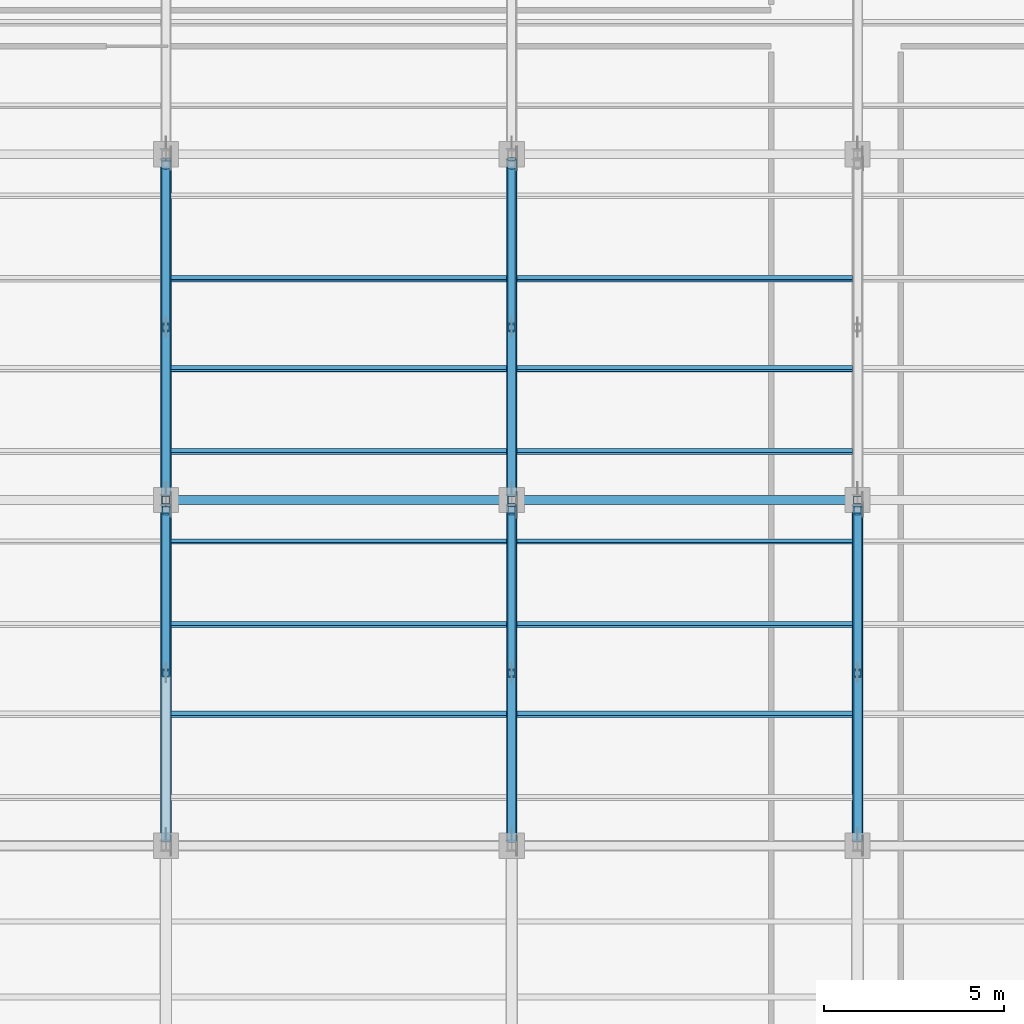
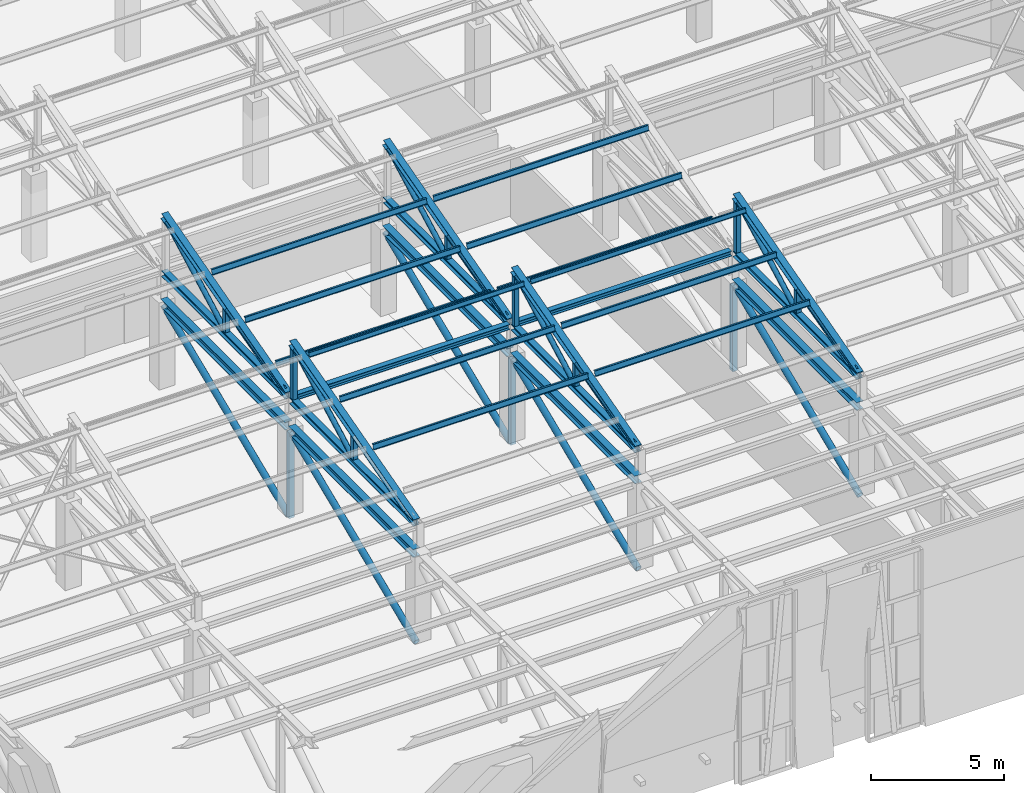
# One storey, part 17 of 71: 52 members, 2 beams.
"""IFC4 building model written with IfcOpenShell, lengths in metres."""

from ifc_helpers import new_model, si_unit, direction, frame, origin, origin_2d, place, context, subcontext, project, spatial, hollow_rectangle, hollow_circle, i_section, extrude, material, material_profile, profile_set, type_object, element, save


model = new_model("IFC4")

# Units and contexts
model_context = context("Model", 3, precision=1e-05, world=origin(), true_north=direction((0.0, 1.0)))
body_context = subcontext(model_context, "Body", "Model", "MODEL_VIEW")
ifc_project = project(units=[si_unit("LENGTHUNIT", "METRE"), si_unit("AREAUNIT", "SQUARE_METRE"), si_unit("VOLUMEUNIT", "CUBIC_METRE"), si_unit("PLANEANGLEUNIT", "RADIAN"), si_unit("MASSUNIT", "GRAM", prefix="KILO")], contexts=[model_context])

# Site, building, storey
site_placement = place(None, origin())
site = spatial("IfcSite", under=ifc_project, at=site_placement, CompositionType="ELEMENT")
building_placement = place(site_placement, origin())
building = spatial("IfcBuilding", under=site, at=building_placement, Name="Bempovik Park Faculty of Sciences", CompositionType="ELEMENT")
storey_placement = place(building_placement, frame((0.0, 0.0, 14.10009765625)))
storey = spatial("IfcBuildingStorey", under=building, at=storey_placement, Name="L03", CompositionType="ELEMENT", Elevation=14.10009765625)

# Beams
ifc_material = material(Name="Steel S355", Category="steel")
ifc_material_profile_1 = material_profile(ifc_material, i_section(OverallWidth=0.239990234375, OverallDepth=0.239990234375, WebThickness=0.010009765625, FlangeThickness=0.01708984375, at=origin_2d()), Name="HEB 240")
ifc_profile_set_1 = profile_set([ifc_material_profile_1], Name="Steel S355")
beam_type = type_object("IfcBeamType", Name="B-042 HEB 240", PredefinedType="BEAM", material=ifc_profile_set_1)
beam_1_placement = place(storey_placement, frame((79.35009765625, 29.39990234375, 5.14990234375), z_axis=(1.0, 0.0, 0.0), x_axis=(0.0, 1.0, 0.0)))
element("IfcBeam", 1, at=beam_1_placement, inside=storey, type_object=beam_type, Name="Sawtooth Valley Tie Beam V1-B2 (79.2-88.8)", PredefinedType="BEAM", context=body_context, shape_type="SweptSolid", body=[
    extrude(i_section(OverallWidth=0.239990234375, OverallDepth=0.239990234375, WebThickness=0.010009765625, FlangeThickness=0.01708984375, at=origin_2d()), origin(), (0.0, 0.0, 1.0), 9.2998046875),
])
beam_2_placement = place(storey_placement, frame((88.949951171875, 29.39990234375, 5.14990234375), z_axis=(1.0, 0.0, 0.0), x_axis=(0.0, 1.0, 0.0)))
element("IfcBeam", 2, at=beam_2_placement, inside=storey, type_object=beam_type, Name="Sawtooth Valley Tie Beam V1-B2 (88.8-98.4)", PredefinedType="BEAM", context=body_context, shape_type="SweptSolid", body=[
    extrude(i_section(OverallWidth=0.239990234375, OverallDepth=0.239990234375, WebThickness=0.010009765625, FlangeThickness=0.01708984375, at=origin_2d()), origin(), (0.0, 0.0, 1.0), 9.300048828125),
])

# Members
ifc_material_profile_2 = material_profile(ifc_material, i_section(OverallWidth=0.110107421875, OverallDepth=0.219970703125, WebThickness=0.005859375, FlangeThickness=0.00927734375, at=origin_2d()), Name="IPE 220")
ifc_profile_set_2 = profile_set([ifc_material_profile_2], Name="Steel S355")
member_type_1 = type_object("IfcMemberType", Name="M-18 IPE 220", PredefinedType="PURLIN", material=ifc_profile_set_2)
member_1_placement = place(storey_placement, frame((79.345947265625, 30.743896484375, 5.847412109375), z_axis=(1.0, 0.0, 0.0), x_axis=(0.0, 0.965925826289, -0.258819045103)))
element("IfcMember", 3, at=member_1_placement, inside=storey, type_object=member_type_1, Name="Sawtooth Roof Purlin V1-B2 (79.2-88.8) #1", PredefinedType="PURLIN", context=body_context, shape_type="SweptSolid", body=[
    extrude(i_section(OverallWidth=0.110107421875, OverallDepth=0.219970703125, WebThickness=0.005859375, FlangeThickness=0.00927734375, at=origin_2d()), origin(), (0.0, 0.0, 1.0), 9.30810546875),
])
member_2_placement = place(storey_placement, frame((88.946044921875, 30.743896484375, 5.847412109375), z_axis=(1.0, 0.0, 0.0), x_axis=(0.0, 0.965925826289, -0.258819045103)))
element("IfcMember", 4, at=member_2_placement, inside=storey, type_object=member_type_1, Name="Sawtooth Roof Purlin V1-B2 (88.8-98.4) #1", PredefinedType="PURLIN", context=body_context, shape_type="SweptSolid", body=[
    extrude(i_section(OverallWidth=0.110107421875, OverallDepth=0.219970703125, WebThickness=0.005859375, FlangeThickness=0.00927734375, at=origin_2d()), origin(), (0.0, 0.0, 1.0), 9.307861328125),
])
ifc_material_profile_3 = material_profile(ifc_material, hollow_circle(Radius=0.109619140625, WallThickness=0.010009765625, at=origin_2d()), Name="CHS 219.1x10")
ifc_profile_set_3 = profile_set([ifc_material_profile_3], Name="Steel S355")
member_type_2 = type_object("IfcMemberType", Name="M-22 CHS 219.1x10", PredefinedType="BRACE", material=ifc_profile_set_3)
for number, where, z_axis, x_axis, name in (
    (5, (79.199951171875, 24.705078125, 5.285888671875), (0.0, 0.882187464719, 0.470898372361), (-1.0, 0.0, 0.0), "Sawtooth Web Diagonal 2 V1-B1 (79.2)"),
    (6, (88.800048828125, 24.705078125, 5.285888671875), (0.0, 0.882187464719, 0.470898372361), (-1.0, 0.0, 0.0), "Sawtooth Web Diagonal 2 V1-B1 (88.8)"),
    (7, (98.39990234375, 24.705078125, 5.285888671875), (0.0, 0.882187464719, 0.470898372361), (-1.0, 0.0, 0.0), "Sawtooth Web Diagonal 2 V1-B1 (98.4)"),
    (8, (79.199951171875, 34.304931640625, 5.285888671875), (0.0, 0.882187464719, 0.470898372361), (-1.0, 0.0, 0.0), "Sawtooth Web Diagonal 2 V1-B2 (79.2)"),
    (9, (88.800048828125, 34.304931640625, 5.285888671875), (0.0, 0.882187464719, 0.470898372361), (-1.0, 0.0, 0.0), "Sawtooth Web Diagonal 2 V1-B2 (88.8)"),
):
    element("IfcMember", number, at=place(storey_placement, frame(where, z_axis=z_axis, x_axis=x_axis)), inside=storey, type_object=member_type_2, Name=name, PredefinedType="BRACE", context=body_context, shape_type="SweptSolid", body=[
        extrude(hollow_circle(Radius=0.109619140625, WallThickness=0.010009765625, at=origin_2d()), origin(), (0.0, 0.0, 1.0), 4.902587890625),
    ])
ifc_material_profile_4 = material_profile(ifc_material, i_section(OverallWidth=0.300048828125, OverallDepth=0.360107421875, WebThickness=0.012451171875, FlangeThickness=0.0224609375, at=origin_2d()), Name="HEB 360")
ifc_profile_set_4 = profile_set([ifc_material_profile_4], Name="Steel S355")
member_type_3 = type_object("IfcMemberType", Name="M-23 HEB 360", PredefinedType="CHORD", material=ifc_profile_set_4)
member_3_placement = place(storey_placement, frame((79.199951171875, 19.931884765625, 3.7998046875), z_axis=(0.0, 1.0, 0.0), x_axis=(-1.0, 0.0, 0.0)))
element("IfcMember", 10, at=member_3_placement, inside=storey, type_object=member_type_3, Name="Cantilever Truss 3 Top Chord 3", PredefinedType="CHORD", context=body_context, shape_type="SweptSolid", body=[
    extrude(i_section(OverallWidth=0.300048828125, OverallDepth=0.360107421875, WebThickness=0.012451171875, FlangeThickness=0.0224609375, at=origin_2d()), origin(), (0.0, 0.0, 1.0), 9.336181640625),
])
member_4_placement = place(storey_placement, frame((79.199951171875, 29.531982421875, 3.7998046875), z_axis=(0.0, 1.0, 0.0), x_axis=(-1.0, 0.0, 0.0)))
element("IfcMember", 11, at=member_4_placement, inside=storey, type_object=member_type_3, Name="Cantilever Truss 3 Top Chord 4", PredefinedType="CHORD", context=body_context, shape_type="SweptSolid", body=[
    extrude(i_section(OverallWidth=0.300048828125, OverallDepth=0.360107421875, WebThickness=0.012451171875, FlangeThickness=0.0224609375, at=origin_2d()), origin(), (0.0, 0.0, 1.0), 9.3359375),
])
member_5_placement = place(storey_placement, frame((88.800048828125, 19.931884765625, 3.7998046875), z_axis=(0.0, 1.0, 0.0), x_axis=(-1.0, 0.0, 0.0)))
element("IfcMember", 12, at=member_5_placement, inside=storey, type_object=member_type_3, Name="Cantilever Truss 4 Top Chord 3", PredefinedType="CHORD", context=body_context, shape_type="SweptSolid", body=[
    extrude(i_section(OverallWidth=0.300048828125, OverallDepth=0.360107421875, WebThickness=0.012451171875, FlangeThickness=0.0224609375, at=origin_2d()), origin(), (0.0, 0.0, 1.0), 9.336181640625),
])
member_6_placement = place(storey_placement, frame((88.800048828125, 29.531982421875, 3.7998046875), z_axis=(0.0, 1.0, 0.0), x_axis=(-1.0, 0.0, 0.0)))
element("IfcMember", 13, at=member_6_placement, inside=storey, type_object=member_type_3, Name="Cantilever Truss 4 Top Chord 4", PredefinedType="CHORD", context=body_context, shape_type="SweptSolid", body=[
    extrude(i_section(OverallWidth=0.300048828125, OverallDepth=0.360107421875, WebThickness=0.012451171875, FlangeThickness=0.0224609375, at=origin_2d()), origin(), (0.0, 0.0, 1.0), 9.3359375),
])
member_7_placement = place(storey_placement, frame((98.39990234375, 19.931884765625, 3.7998046875), z_axis=(0.0, 1.0, 0.0), x_axis=(-1.0, 0.0, 0.0)))
element("IfcMember", 14, at=member_7_placement, inside=storey, type_object=member_type_3, Name="Cantilever Truss 5 Top Chord 3", PredefinedType="CHORD", context=body_context, shape_type="SweptSolid", body=[
    extrude(i_section(OverallWidth=0.300048828125, OverallDepth=0.360107421875, WebThickness=0.012451171875, FlangeThickness=0.0224609375, at=origin_2d()), origin(), (0.0, 0.0, 1.0), 9.336181640625),
])
ifc_material_profile_5 = material_profile(ifc_material, i_section(OverallWidth=0.280029296875, OverallDepth=0.280029296875, WebThickness=0.010498046875, FlangeThickness=0.01806640625, at=origin_2d()), Name="HEB 280")
ifc_profile_set_5 = profile_set([ifc_material_profile_5], Name="Steel S355")
member_type_4 = type_object("IfcMemberType", Name="M-26 HEB 280", PredefinedType="CHORD", material=ifc_profile_set_5)
for number, where, z_axis, x_axis, name in (
    (15, (79.199951171875, 19.9560546875, 5.212158203125), (0.0, 0.963723405845, 0.266902973056), (-1.0, 0.0, 0.0), "Sawtooth Top Rafter Chord V1-B1 (79.2)"),
    (16, (88.800048828125, 19.9560546875, 5.212158203125), (0.0, 0.963723405845, 0.266902973056), (-1.0, 0.0, 0.0), "Sawtooth Top Rafter Chord V1-B1 (88.8)"),
    (17, (98.39990234375, 19.9560546875, 5.212158203125), (0.0, 0.963723405845, 0.266902973056), (-1.0, 0.0, 0.0), "Sawtooth Top Rafter Chord V1-B1 (98.4)"),
):
    element("IfcMember", number, at=place(storey_placement, frame(where, z_axis=z_axis, x_axis=x_axis)), inside=storey, type_object=member_type_4, Name=name, PredefinedType="CHORD", context=body_context, shape_type="SweptSolid", body=[
        extrude(i_section(OverallWidth=0.280029296875, OverallDepth=0.280029296875, WebThickness=0.010498046875, FlangeThickness=0.01806640625, at=origin_2d()), origin(), (0.0, 0.0, 1.0), 9.637451171875),
    ])
for number, where, z_axis, x_axis, name in (
    (18, (79.199951171875, 29.555908203125, 5.212158203125), (0.0, 0.963725210394, 0.266896457173), (-1.0, 0.0, 0.0), "Sawtooth Top Rafter Chord V1-B2 (79.2)"),
    (19, (88.800048828125, 29.555908203125, 5.212158203125), (0.0, 0.963725210394, 0.266896457173), (-1.0, 0.0, 0.0), "Sawtooth Top Rafter Chord V1-B2 (88.8)"),
):
    element("IfcMember", number, at=place(storey_placement, frame(where, z_axis=z_axis, x_axis=x_axis)), inside=storey, type_object=member_type_4, Name=name, PredefinedType="CHORD", context=body_context, shape_type="SweptSolid", body=[
        extrude(i_section(OverallWidth=0.280029296875, OverallDepth=0.280029296875, WebThickness=0.010498046875, FlangeThickness=0.01806640625, at=origin_2d()), origin(), (0.0, 0.0, 1.0), 9.6376953125),
    ])
ifc_material_profile_6 = material_profile(ifc_material, hollow_rectangle(XDim=0.219970703125, YDim=0.219970703125, WallThickness=0.010009765625, at=origin_2d()), Name="SHS 220x220x10")
ifc_profile_set_6 = profile_set([ifc_material_profile_6], Name="Steel S355")
member_type_5 = type_object("IfcMemberType", Name="M-32 SHS 220x220x10", PredefinedType="POST", material=ifc_profile_set_6)
for number, where, z_axis, x_axis, name in (
    (20, (79.199951171875, 29.39990234375, -0.294189453125), (0.0, 0.0, 1.0), (1.0, 0.0, 0.0), "Cantilever Truss 3 L03 Post 4"),
    (21, (88.800048828125, 29.39990234375, -0.294189453125), (0.0, 0.0, 1.0), (1.0, 0.0, 0.0), "Cantilever Truss 4 L03 Post 4"),
    (22, (98.39990234375, 29.39990234375, -0.294189453125), (0.0, 0.0, 1.0), (1.0, 0.0, 0.0), "Cantilever Truss 5 L03 Post 4"),
):
    element("IfcMember", number, at=place(storey_placement, frame(where, z_axis=z_axis, x_axis=x_axis)), inside=storey, type_object=member_type_5, Name=name, PredefinedType="POST", context=body_context, shape_type="SweptSolid", body=[
        extrude(hollow_rectangle(XDim=0.219970703125, YDim=0.219970703125, WallThickness=0.010009765625, at=origin_2d()), origin(), (0.0, 0.0, 1.0), 3.908203125),
    ])
ifc_material_profile_7 = material_profile(ifc_material, hollow_rectangle(XDim=0.199951171875, YDim=0.199951171875, WallThickness=0.010009765625, at=origin_2d()), Name="SHS 200x200x10")
ifc_profile_set_7 = profile_set([ifc_material_profile_7], Name="Steel S355")
member_type_6 = type_object("IfcMemberType", Name="M-44 SHS 200x200x10", PredefinedType="POST", material=ifc_profile_set_7)
member_8_placement = place(storey_placement, frame((79.199951171875, 29.1298828125, 5.285888671875), z_axis=(0.0, 0.0, 1.0), x_axis=(1.0, 0.0, 0.0)))
element("IfcMember", 23, at=member_8_placement, inside=storey, type_object=member_type_6, Name="Sawtooth North-Light Post V1-B1 (79.2)", PredefinedType="POST", context=body_context, shape_type="SweptSolid", body=[
    extrude(hollow_rectangle(XDim=0.199951171875, YDim=0.199951171875, WallThickness=0.010009765625, at=origin_2d()), origin(), (0.0, 0.0, 1.0), 2.30859375),
])
member_9_placement = place(storey_placement, frame((79.199951171875, 24.60009765625, 5.285888671875), z_axis=(0.0, 0.0, 1.0), x_axis=(1.0, 0.0, 0.0)))
element("IfcMember", 24, at=member_9_placement, inside=storey, type_object=member_type_6, Name="Sawtooth Mid Post V1-B1 (79.2)", PredefinedType="POST", context=body_context, shape_type="SweptSolid", body=[
    extrude(hollow_rectangle(XDim=0.199951171875, YDim=0.199951171875, WallThickness=0.010009765625, at=origin_2d()), origin(), (0.0, 0.0, 1.0), 1.052490234375),
])
member_10_placement = place(storey_placement, frame((88.800048828125, 29.1298828125, 5.285888671875), z_axis=(0.0, 0.0, 1.0), x_axis=(1.0, 0.0, 0.0)))
element("IfcMember", 25, at=member_10_placement, inside=storey, type_object=member_type_6, Name="Sawtooth North-Light Post V1-B1 (88.8)", PredefinedType="POST", context=body_context, shape_type="SweptSolid", body=[
    extrude(hollow_rectangle(XDim=0.199951171875, YDim=0.199951171875, WallThickness=0.010009765625, at=origin_2d()), origin(), (0.0, 0.0, 1.0), 2.30859375),
])
member_11_placement = place(storey_placement, frame((88.800048828125, 24.60009765625, 5.285888671875), z_axis=(0.0, 0.0, 1.0), x_axis=(1.0, 0.0, 0.0)))
element("IfcMember", 26, at=member_11_placement, inside=storey, type_object=member_type_6, Name="Sawtooth Mid Post V1-B1 (88.8)", PredefinedType="POST", context=body_context, shape_type="SweptSolid", body=[
    extrude(hollow_rectangle(XDim=0.199951171875, YDim=0.199951171875, WallThickness=0.010009765625, at=origin_2d()), origin(), (0.0, 0.0, 1.0), 1.052490234375),
])
member_12_placement = place(storey_placement, frame((98.39990234375, 29.1298828125, 5.285888671875), z_axis=(0.0, 0.0, 1.0), x_axis=(1.0, 0.0, 0.0)))
element("IfcMember", 27, at=member_12_placement, inside=storey, type_object=member_type_6, Name="Sawtooth North-Light Post V1-B1 (98.4)", PredefinedType="POST", context=body_context, shape_type="SweptSolid", body=[
    extrude(hollow_rectangle(XDim=0.199951171875, YDim=0.199951171875, WallThickness=0.010009765625, at=origin_2d()), origin(), (0.0, 0.0, 1.0), 2.30859375),
])
for number, where, z_axis, x_axis, name in (
    (28, (98.39990234375, 24.60009765625, 5.285888671875), (0.0, 0.0, 1.0), (1.0, 0.0, 0.0), "Sawtooth Mid Post V1-B1 (98.4)"),
    (29, (79.199951171875, 34.199951171875, 5.285888671875), (0.0, 0.0, 1.0), (1.0, 0.0, 0.0), "Sawtooth Mid Post V1-B2 (79.2)"),
    (30, (88.800048828125, 34.199951171875, 5.285888671875), (0.0, 0.0, 1.0), (1.0, 0.0, 0.0), "Sawtooth Mid Post V1-B2 (88.8)"),
):
    element("IfcMember", number, at=place(storey_placement, frame(where, z_axis=z_axis, x_axis=x_axis)), inside=storey, type_object=member_type_6, Name=name, PredefinedType="POST", context=body_context, shape_type="SweptSolid", body=[
        extrude(hollow_rectangle(XDim=0.199951171875, YDim=0.199951171875, WallThickness=0.010009765625, at=origin_2d()), origin(), (0.0, 0.0, 1.0), 1.052490234375),
    ])
ifc_material_profile_8 = material_profile(ifc_material, i_section(OverallWidth=0.10009765625, OverallDepth=0.199951171875, WebThickness=0.005615234375, FlangeThickness=0.008544921875, at=origin_2d()), Name="IPE 200")
ifc_profile_set_8 = profile_set([ifc_material_profile_8], Name="Steel S355")
member_type_7 = type_object("IfcMemberType", Name="M-48 IPE 200", PredefinedType="PURLIN", material=ifc_profile_set_8)
member_13_placement = place(storey_placement, frame((79.345947265625, 28.248046875, 7.7607421875), z_axis=(1.0, 0.0, 0.0), x_axis=(0.0, 0.965925826289, -0.258819045103)))
element("IfcMember", 31, at=member_13_placement, inside=storey, type_object=member_type_7, Name="Sawtooth Roof Purlin V1-B1 (79.2-88.8) #4", PredefinedType="PURLIN", context=body_context, shape_type="SweptSolid", body=[
    extrude(i_section(OverallWidth=0.10009765625, OverallDepth=0.199951171875, WebThickness=0.005615234375, FlangeThickness=0.008544921875, at=origin_2d()), origin(), (0.0, 0.0, 1.0), 9.30810546875),
])
member_14_placement = place(storey_placement, frame((88.946044921875, 28.248046875, 7.7607421875), z_axis=(1.0, 0.0, 0.0), x_axis=(0.0, 0.965925826289, -0.258819045103)))
element("IfcMember", 32, at=member_14_placement, inside=storey, type_object=member_type_7, Name="Sawtooth Roof Purlin V1-B1 (88.8-98.4) #4", PredefinedType="PURLIN", context=body_context, shape_type="SweptSolid", body=[
    extrude(i_section(OverallWidth=0.10009765625, OverallDepth=0.199951171875, WebThickness=0.005615234375, FlangeThickness=0.008544921875, at=origin_2d()), origin(), (0.0, 0.0, 1.0), 9.307861328125),
])
ifc_material_profile_9 = material_profile(ifc_material, i_section(OverallWidth=0.260009765625, OverallDepth=0.260009765625, WebThickness=0.010009765625, FlangeThickness=0.017578125, at=origin_2d()), Name="HEB 260")
ifc_profile_set_9 = profile_set([ifc_material_profile_9], Name="Steel S355")
member_type_8 = type_object("IfcMemberType", Name="M-58 HEB 260", PredefinedType="CHORD", material=ifc_profile_set_9)
for number, where, z_axis, x_axis, name in (
    (33, (79.199951171875, 19.9560546875, 5.14990234375), (0.0, 1.0, 0.0), (-1.0, 0.0, 0.0), "Sawtooth Bottom Chord V1-B1 (79.2)"),
    (34, (88.800048828125, 19.9560546875, 5.14990234375), (0.0, 1.0, 0.0), (-1.0, 0.0, 0.0), "Sawtooth Bottom Chord V1-B1 (88.8)"),
    (35, (98.39990234375, 19.9560546875, 5.14990234375), (0.0, 1.0, 0.0), (-1.0, 0.0, 0.0), "Sawtooth Bottom Chord V1-B1 (98.4)"),
):
    element("IfcMember", number, at=place(storey_placement, frame(where, z_axis=z_axis, x_axis=x_axis)), inside=storey, type_object=member_type_8, Name=name, PredefinedType="CHORD", context=body_context, shape_type="SweptSolid", body=[
        extrude(i_section(OverallWidth=0.260009765625, OverallDepth=0.260009765625, WebThickness=0.010009765625, FlangeThickness=0.017578125, at=origin_2d()), origin(), (0.0, 0.0, 1.0), 9.287841796875),
    ])
for number, where, z_axis, x_axis, name in (
    (36, (79.199951171875, 29.555908203125, 5.14990234375), (0.0, 1.0, 0.0), (-1.0, 0.0, 0.0), "Sawtooth Bottom Chord V1-B2 (79.2)"),
    (37, (88.800048828125, 29.555908203125, 5.14990234375), (0.0, 1.0, 0.0), (-1.0, 0.0, 0.0), "Sawtooth Bottom Chord V1-B2 (88.8)"),
):
    element("IfcMember", number, at=place(storey_placement, frame(where, z_axis=z_axis, x_axis=x_axis)), inside=storey, type_object=member_type_8, Name=name, PredefinedType="CHORD", context=body_context, shape_type="SweptSolid", body=[
        extrude(i_section(OverallWidth=0.260009765625, OverallDepth=0.260009765625, WebThickness=0.010009765625, FlangeThickness=0.017578125, at=origin_2d()), origin(), (0.0, 0.0, 1.0), 9.2880859375),
    ])
ifc_material_profile_10 = material_profile(ifc_material, hollow_circle(Radius=0.136474609375, WallThickness=0.012451171875, at=origin_2d()), Name="CHS 273x12.5")
ifc_profile_set_10 = profile_set([ifc_material_profile_10], Name="Steel S355")
member_type_9 = type_object("IfcMemberType", Name="M-78 CHS 273x12.5", PredefinedType="BRACE", material=ifc_profile_set_10)
member_15_placement = place(storey_placement, frame((79.199951171875, 19.93505859375, -0.294189453125), z_axis=(0.0, 0.922346194813, 0.386364461247), x_axis=(-1.0, 0.0, 0.0)))
element("IfcMember", 38, at=member_15_placement, inside=storey, type_object=member_type_9, Name="Cantilever Truss 3 L03 Diagonal 3", PredefinedType="BRACE", context=body_context, shape_type="SweptSolid", body=[
    extrude(hollow_circle(Radius=0.136474609375, WallThickness=0.012451171875, at=origin_2d()), origin(), (0.0, 0.0, 1.0), 10.115234375),
])
member_16_placement = place(storey_placement, frame((79.199951171875, 29.534912109375, -0.294189453125), z_axis=(0.0, 0.922349797611, 0.386355860377), x_axis=(-1.0, 0.0, 0.0)))
element("IfcMember", 39, at=member_16_placement, inside=storey, type_object=member_type_9, Name="Cantilever Truss 3 L03 Diagonal 4", PredefinedType="BRACE", context=body_context, shape_type="SweptSolid", body=[
    extrude(hollow_circle(Radius=0.136474609375, WallThickness=0.012451171875, at=origin_2d()), origin(), (0.0, 0.0, 1.0), 10.115478515625),
])
member_17_placement = place(storey_placement, frame((88.800048828125, 19.93505859375, -0.294189453125), z_axis=(0.0, 0.922346194813, 0.386364461247), x_axis=(-1.0, 0.0, 0.0)))
element("IfcMember", 40, at=member_17_placement, inside=storey, type_object=member_type_9, Name="Cantilever Truss 4 L03 Diagonal 3", PredefinedType="BRACE", context=body_context, shape_type="SweptSolid", body=[
    extrude(hollow_circle(Radius=0.136474609375, WallThickness=0.012451171875, at=origin_2d()), origin(), (0.0, 0.0, 1.0), 10.115234375),
])
member_18_placement = place(storey_placement, frame((88.800048828125, 29.534912109375, -0.294189453125), z_axis=(0.0, 0.922349797611, 0.386355860377), x_axis=(-1.0, 0.0, 0.0)))
element("IfcMember", 41, at=member_18_placement, inside=storey, type_object=member_type_9, Name="Cantilever Truss 4 L03 Diagonal 4", PredefinedType="BRACE", context=body_context, shape_type="SweptSolid", body=[
    extrude(hollow_circle(Radius=0.136474609375, WallThickness=0.012451171875, at=origin_2d()), origin(), (0.0, 0.0, 1.0), 10.115478515625),
])
member_19_placement = place(storey_placement, frame((98.39990234375, 19.93505859375, -0.294189453125), z_axis=(0.0, 0.922346194813, 0.386364461247), x_axis=(-1.0, 0.0, 0.0)))
element("IfcMember", 42, at=member_19_placement, inside=storey, type_object=member_type_9, Name="Cantilever Truss 5 L03 Diagonal 3", PredefinedType="BRACE", context=body_context, shape_type="SweptSolid", body=[
    extrude(hollow_circle(Radius=0.136474609375, WallThickness=0.012451171875, at=origin_2d()), origin(), (0.0, 0.0, 1.0), 10.115234375),
])
ifc_material_profile_11 = material_profile(ifc_material, hollow_circle(Radius=0.122314453125, WallThickness=0.010009765625, at=origin_2d()), Name="CHS 244.5x10")
ifc_profile_set_11 = profile_set([ifc_material_profile_11], Name="Steel S355")
member_type_10 = type_object("IfcMemberType", Name="M-82 CHS 244.5x10", PredefinedType="BRACE", material=ifc_profile_set_11)
for number, where, z_axis, x_axis, name in (
    (43, (88.800048828125, 20.1298828125, 5.285888671875), (0.0, 0.972142472623, 0.23439072704), (-1.0, 0.0, 0.0), "Sawtooth Web Diagonal 1 V1-B1 (88.8)"),
    (44, (98.39990234375, 20.1298828125, 5.285888671875), (0.0, 0.972142472623, 0.23439072704), (-1.0, 0.0, 0.0), "Sawtooth Web Diagonal 1 V1-B1 (98.4)"),
):
    element("IfcMember", number, at=place(storey_placement, frame(where, z_axis=z_axis, x_axis=x_axis)), inside=storey, type_object=member_type_10, Name=name, PredefinedType="BRACE", context=body_context, shape_type="SweptSolid", body=[
        extrude(hollow_circle(Radius=0.122314453125, WallThickness=0.010009765625, at=origin_2d()), origin(), (0.0, 0.0, 1.0), 4.490234375),
    ])
for number, where, z_axis, x_axis, name in (
    (45, (79.199951171875, 29.72998046875, 5.285888671875), (0.0, 0.972139485331, 0.234403116576), (-1.0, 0.0, 0.0), "Sawtooth Web Diagonal 1 V1-B2 (79.2)"),
    (46, (88.800048828125, 29.72998046875, 5.285888671875), (0.0, 0.972139485331, 0.234403116576), (-1.0, 0.0, 0.0), "Sawtooth Web Diagonal 1 V1-B2 (88.8)"),
):
    element("IfcMember", number, at=place(storey_placement, frame(where, z_axis=z_axis, x_axis=x_axis)), inside=storey, type_object=member_type_10, Name=name, PredefinedType="BRACE", context=body_context, shape_type="SweptSolid", body=[
        extrude(hollow_circle(Radius=0.122314453125, WallThickness=0.010009765625, at=origin_2d()), origin(), (0.0, 0.0, 1.0), 4.489990234375),
    ])
ifc_material_profile_12 = material_profile(ifc_material, i_section(OverallWidth=0.1201171875, OverallDepth=0.239990234375, WebThickness=0.006103515625, FlangeThickness=0.009765625, at=origin_2d()), Name="IPE 240")
ifc_profile_set_12 = profile_set([ifc_material_profile_12], Name="Steel S355")
member_type_11 = type_object("IfcMemberType", Name="M-86 IPE 240", PredefinedType="PURLIN", material=ifc_profile_set_12)
for number, where, z_axis, x_axis, name in (
    (47, (79.345947265625, 23.447998046875, 6.45458984375), (1.0, 0.0, 0.0), (0.0, 0.965925826289, -0.258819045103), "Sawtooth Roof Purlin V1-B1 (79.2-88.8) #2"),
    (48, (79.345947265625, 25.944091796875, 7.12353515625), (1.0, 0.0, 0.0), (0.0, 0.965925826289, -0.258819045103), "Sawtooth Roof Purlin V1-B1 (79.2-88.8) #3"),
):
    element("IfcMember", number, at=place(storey_placement, frame(where, z_axis=z_axis, x_axis=x_axis)), inside=storey, type_object=member_type_11, Name=name, PredefinedType="PURLIN", context=body_context, shape_type="SweptSolid", body=[
        extrude(i_section(OverallWidth=0.1201171875, OverallDepth=0.239990234375, WebThickness=0.006103515625, FlangeThickness=0.009765625, at=origin_2d()), origin(), (0.0, 0.0, 1.0), 9.30810546875),
    ])
for number, where, z_axis, x_axis, name in (
    (49, (88.946044921875, 23.447998046875, 6.45458984375), (1.0, 0.0, 0.0), (0.0, 0.965925826289, -0.258819045103), "Sawtooth Roof Purlin V1-B1 (88.8-98.4) #2"),
    (50, (88.946044921875, 25.944091796875, 7.12353515625), (1.0, 0.0, 0.0), (0.0, 0.965925826289, -0.258819045103), "Sawtooth Roof Purlin V1-B1 (88.8-98.4) #3"),
):
    element("IfcMember", number, at=place(storey_placement, frame(where, z_axis=z_axis, x_axis=x_axis)), inside=storey, type_object=member_type_11, Name=name, PredefinedType="PURLIN", context=body_context, shape_type="SweptSolid", body=[
        extrude(i_section(OverallWidth=0.1201171875, OverallDepth=0.239990234375, WebThickness=0.006103515625, FlangeThickness=0.009765625, at=origin_2d()), origin(), (0.0, 0.0, 1.0), 9.307861328125),
    ])
for number, where, z_axis, x_axis, name in (
    (51, (79.345947265625, 33.048095703125, 6.45458984375), (1.0, 0.0, 0.0), (0.0, 0.965925826289, -0.258819045103), "Sawtooth Roof Purlin V1-B2 (79.2-88.8) #2"),
    (52, (79.345947265625, 35.5439453125, 7.12353515625), (1.0, 0.0, 0.0), (0.0, 0.965925826289, -0.258819045103), "Sawtooth Roof Purlin V1-B2 (79.2-88.8) #3"),
):
    element("IfcMember", number, at=place(storey_placement, frame(where, z_axis=z_axis, x_axis=x_axis)), inside=storey, type_object=member_type_11, Name=name, PredefinedType="PURLIN", context=body_context, shape_type="SweptSolid", body=[
        extrude(i_section(OverallWidth=0.1201171875, OverallDepth=0.239990234375, WebThickness=0.006103515625, FlangeThickness=0.009765625, at=origin_2d()), origin(), (0.0, 0.0, 1.0), 9.30810546875),
    ])
for number, where, z_axis, x_axis, name in (
    (53, (88.946044921875, 33.048095703125, 6.45458984375), (1.0, 0.0, 0.0), (0.0, 0.965925826289, -0.258819045103), "Sawtooth Roof Purlin V1-B2 (88.8-98.4) #2"),
    (54, (88.946044921875, 35.5439453125, 7.12353515625), (1.0, 0.0, 0.0), (0.0, 0.965925826289, -0.258819045103), "Sawtooth Roof Purlin V1-B2 (88.8-98.4) #3"),
):
    element("IfcMember", number, at=place(storey_placement, frame(where, z_axis=z_axis, x_axis=x_axis)), inside=storey, type_object=member_type_11, Name=name, PredefinedType="PURLIN", context=body_context, shape_type="SweptSolid", body=[
        extrude(i_section(OverallWidth=0.1201171875, OverallDepth=0.239990234375, WebThickness=0.006103515625, FlangeThickness=0.009765625, at=origin_2d()), origin(), (0.0, 0.0, 1.0), 9.307861328125),
    ])

save(model, "model.ifc")
